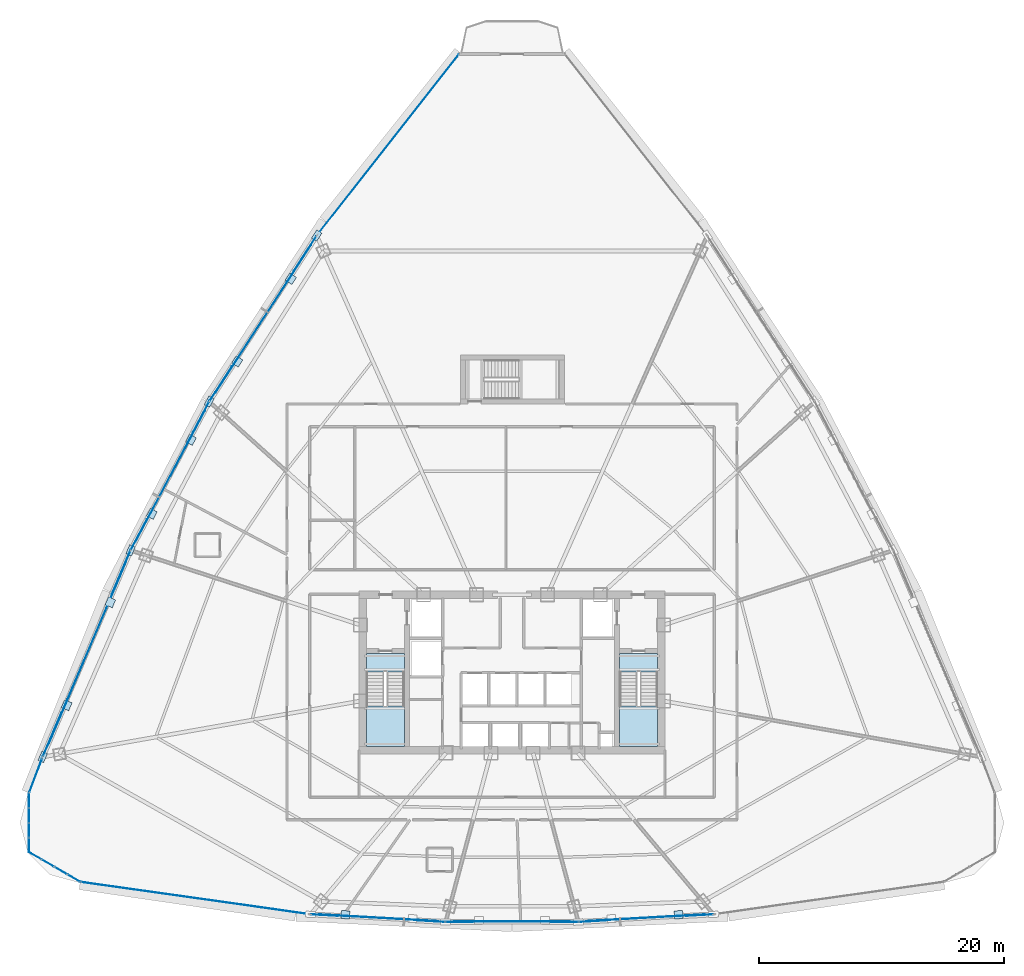
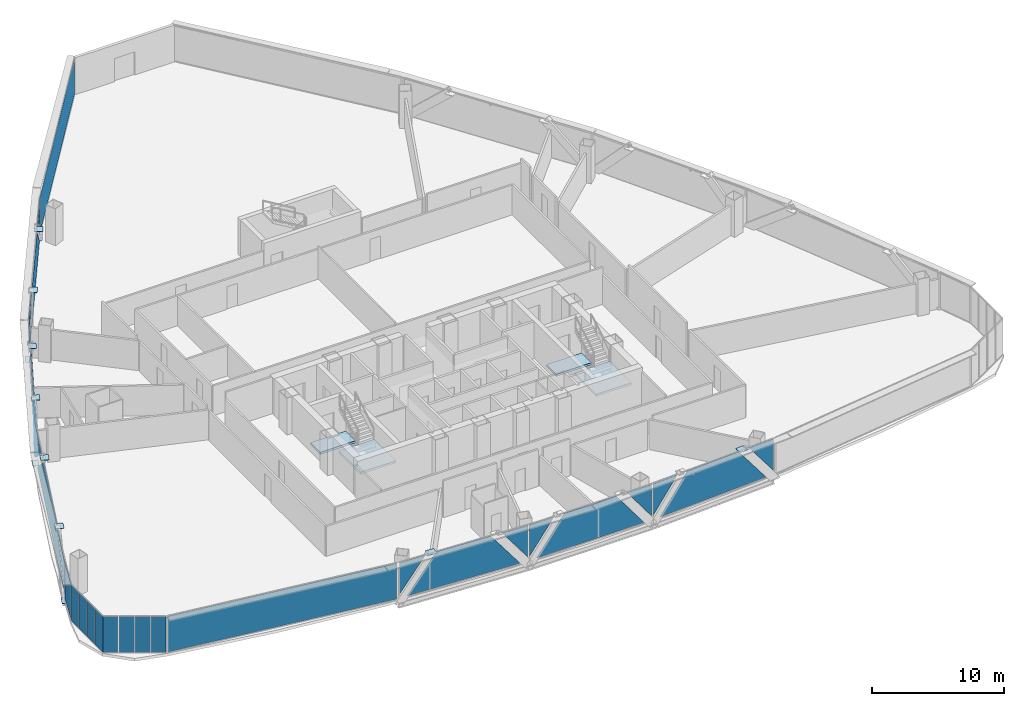
# One storey, part 30 of 40: 41 plates, 4 slabs, 13 elements without a shape of their own.
"""IFC4 building model written with IfcOpenShell, lengths in metres."""

from ifc_helpers import new_model, si_unit, direction, frame, origin, origin_2d, place, context, subcontext, project, spatial, polyline, rectangle, outline, extrude, source, transform, mapped, material, layer, layer_set, type_object, element, aggregate, save


model = new_model("IFC4")

# Units and contexts
model_context = context("Model", 3, precision=1e-05, world=origin(), true_north=direction((0.0, 1.0)))
body_context = subcontext(model_context, "Body", "Model", "MODEL_VIEW")
ifc_project = project(units=[si_unit("LENGTHUNIT", "METRE"), si_unit("AREAUNIT", "SQUARE_METRE"), si_unit("VOLUMEUNIT", "CUBIC_METRE"), si_unit("PLANEANGLEUNIT", "RADIAN"), si_unit("MASSUNIT", "GRAM", prefix="KILO"), si_unit("THERMODYNAMICTEMPERATUREUNIT", "KELVIN"), si_unit("POWERUNIT", "WATT")], contexts=[model_context])

# Site, building, storey
site_placement = place(None, origin())
site = spatial("IfcSite", under=ifc_project, at=site_placement, CompositionType="ELEMENT")
building_placement = place(site_placement, origin())
building = spatial("IfcBuilding", under=site, at=building_placement, Name="Yunzhuo Pagoda Commons", CompositionType="ELEMENT")
storey_placement = place(building_placement, frame((0.0, 0.0, 159.27001953125)))
storey = spatial("IfcBuildingStorey", under=building, at=storey_placement, Name="L40", CompositionType="ELEMENT", Elevation=159.27001953125)

# Curtain wall, plates
ifc_material_1 = material(Name="Anodized aluminium 6063-T6", Category="aluminium")
ifc_layer_1 = layer(ifc_material_1, 0.14990234375)
ifc_layer_set_1 = layer_set([ifc_layer_1], Name="Anodized aluminium 6063-T6")
curtain_wall_type_1 = type_object("IfcCurtainWallType", Name="CW-MID Mid-Zone Ribbon Curtain Wall", PredefinedType="NOTDEFINED", material=ifc_layer_set_1)
curtain_wall_1_placement = place(storey_placement, origin())
curtain_wall_1 = element("IfcCurtainWall", 1, at=curtain_wall_1_placement, inside=storey, type_object=curtain_wall_type_1, Name="L40 curtain wall CW-L40-F1B2", PredefinedType="NOTDEFINED")
ifc_material_2 = material(Name="Tempered low-e double glazing", Category="glass")
ifc_layer_2 = layer(ifc_material_2, 0.028076171875)
ifc_layer_set_2 = layer_set([ifc_layer_2], Name="Tempered low-e double glazing")
plate_type_1 = type_object("IfcPlateType", Name="CW-MID-P Low-E Double Glazing 28", PredefinedType="CURTAIN_PANEL", material=ifc_layer_set_2)
plate_1_placement = place(storey_placement, frame((32.6806640625, 14.017333984375, 1.90869140625), z_axis=(-0.056459249567, -0.998404904404, 0.0), x_axis=(0.998404904404, -0.056459249567, 0.0)))
plate_1 = element("IfcPlate", 2, at=plate_1_placement, type_object=plate_type_1, Name="CW panel 1.1 lite 1", PredefinedType="CURTAIN_PANEL", context=body_context, shape_type="SweptSolid", body=[
    extrude(outline(polyline([(-1.094482421875, -1.456298828125), (1.094482421875, 1.456298828125), (-1.094482421875, 1.456298828125), (-1.094482421875, -1.456298828125)])), origin(), (0.0, 0.0, 1.0), 0.028076171875),
])
plate_2_placement = place(storey_placement, frame((37.05224609375, 13.800048828125, 1.7099609375), z_axis=(-0.056459249567, -0.998404904404, 0.0), x_axis=(0.998404904404, -0.056459249567, 0.0)))
plate_2 = element("IfcPlate", 3, at=plate_2_placement, type_object=plate_type_1, Name="CW panel 1.1 lite 2", PredefinedType="CURTAIN_PANEL", context=body_context, shape_type="SweptSolid", body=[
    extrude(outline(polyline([(-4.8193359375, -1.655029296875), (4.8193359375, -1.655029296875), (2.331787109375, 1.655029296875), (-2.331787109375, 1.655029296875), (-4.8193359375, -1.655029296875)])), origin(), (0.0, 0.0, 1.0), 0.028076171875),
])
plate_3_placement = place(storey_placement, frame((41.42041015625, 13.52294921875, 1.90869140625), z_axis=(-0.056459249567, -0.998404904404, 0.0), x_axis=(0.998404904404, -0.056459249567, 0.0)))
plate_3 = element("IfcPlate", 4, at=plate_3_placement, type_object=plate_type_1, Name="CW panel 1.1 lite 3", PredefinedType="CURTAIN_PANEL", context=body_context, shape_type="SweptSolid", body=[
    extrude(outline(polyline([(-1.094482421875, 1.456298828125), (1.094482421875, -1.456298828125), (1.094482421875, 1.456298828125), (-1.094482421875, 1.456298828125)])), origin(), (0.0, 0.0, 1.0), 0.028076171875),
])
aggregate(curtain_wall_1, [plate_1, plate_2, plate_3])

curtain_wall_2_placement = place(storey_placement, origin())
curtain_wall_2 = element("IfcCurtainWall", 5, at=curtain_wall_2_placement, inside=storey, type_object=curtain_wall_type_1, Name="L40 curtain wall CW-L40-F1B3", PredefinedType="NOTDEFINED")
plate_4_placement = place(storey_placement, frame((43.702880859375, 13.4580078125, 1.913330078125), z_axis=(0.0, -1.0, 0.0), x_axis=(1.0, 0.0, 0.0)))
plate_4 = element("IfcPlate", 6, at=plate_4_placement, type_object=plate_type_1, Name="CW panel 1.1 lite 1", PredefinedType="CURTAIN_PANEL", context=body_context, shape_type="SweptSolid", body=[
    extrude(outline(polyline([(-1.070556640625, -1.45166015625), (1.070556640625, 1.45166015625), (-1.070556640625, 1.45166015625), (-1.070556640625, -1.45166015625)])), origin(), (0.0, 0.0, 1.0), 0.028076171875),
])
plate_5_placement = place(storey_placement, frame((48.0, 13.48779296875, 1.7099609375), z_axis=(0.0, -1.0, 0.0), x_axis=(1.0, 0.0, 0.0)))
plate_5 = element("IfcPlate", 7, at=plate_5_placement, type_object=plate_type_1, Name="CW panel 1.1 lite 2", PredefinedType="CURTAIN_PANEL", context=body_context, shape_type="SweptSolid", body=[
    extrude(outline(polyline([(-4.72314453125, -1.655029296875), (4.72314453125, -1.655029296875), (2.2822265625, 1.655029296875), (-2.2822265625, 1.655029296875), (-4.72314453125, -1.655029296875)])), origin(), (0.0, 0.0, 1.0), 0.028076171875),
])
plate_6_placement = place(storey_placement, frame((52.297119140625, 13.4580078125, 1.913330078125), z_axis=(0.0, -1.0, 0.0), x_axis=(1.0, 0.0, 0.0)))
plate_6 = element("IfcPlate", 8, at=plate_6_placement, type_object=plate_type_1, Name="CW panel 1.1 lite 3", PredefinedType="CURTAIN_PANEL", context=body_context, shape_type="SweptSolid", body=[
    extrude(outline(polyline([(-1.070556640625, 1.45166015625), (1.070556640625, -1.45166015625), (1.070556640625, 1.45166015625), (-1.070556640625, 1.45166015625)])), origin(), (0.0, 0.0, 1.0), 0.028076171875),
])
aggregate(curtain_wall_2, [plate_4, plate_5, plate_6])

curtain_wall_3_placement = place(storey_placement, origin())
curtain_wall_3 = element("IfcCurtainWall", 9, at=curtain_wall_3_placement, inside=storey, type_object=curtain_wall_type_1, Name="L40 curtain wall CW-L40-F1B4", PredefinedType="NOTDEFINED")
plate_7_placement = place(storey_placement, frame((54.57958984375, 13.52294921875, 1.90869140625), z_axis=(0.056459249567, -0.998404904404, 0.0), x_axis=(0.998404904404, 0.056459249567, 0.0)))
plate_7 = element("IfcPlate", 10, at=plate_7_placement, type_object=plate_type_1, Name="CW panel 1.1 lite 1", PredefinedType="CURTAIN_PANEL", context=body_context, shape_type="SweptSolid", body=[
    extrude(outline(polyline([(-1.094482421875, -1.456298828125), (1.094482421875, 1.456298828125), (-1.094482421875, 1.456298828125), (-1.094482421875, -1.456298828125)])), origin(), (0.0, 0.0, 1.0), 0.028076171875),
])
plate_8_placement = place(storey_placement, frame((58.94775390625, 13.800048828125, 1.7099609375), z_axis=(0.056459249567, -0.998404904404, 0.0), x_axis=(0.998404904404, 0.056459249567, 0.0)))
plate_8 = element("IfcPlate", 11, at=plate_8_placement, type_object=plate_type_1, Name="CW panel 1.1 lite 2", PredefinedType="CURTAIN_PANEL", context=body_context, shape_type="SweptSolid", body=[
    extrude(outline(polyline([(-4.8193359375, -1.655029296875), (4.8193359375, -1.655029296875), (2.331787109375, 1.655029296875), (-2.331787109375, 1.655029296875), (-4.8193359375, -1.655029296875)])), origin(), (0.0, 0.0, 1.0), 0.028076171875),
])
plate_9_placement = place(storey_placement, frame((63.3193359375, 14.017333984375, 1.90869140625), z_axis=(0.056459249567, -0.998404904404, 0.0), x_axis=(0.998404904404, 0.056459249567, 0.0)))
plate_9 = element("IfcPlate", 12, at=plate_9_placement, type_object=plate_type_1, Name="CW panel 1.1 lite 3", PredefinedType="CURTAIN_PANEL", context=body_context, shape_type="SweptSolid", body=[
    extrude(outline(polyline([(-1.094482421875, 1.456298828125), (1.094482421875, -1.456298828125), (1.094482421875, 1.456298828125), (-1.094482421875, 1.456298828125)])), origin(), (0.0, 0.0, 1.0), 0.028076171875),
])
aggregate(curtain_wall_3, [plate_7, plate_8, plate_9])

curtain_wall_4_placement = place(storey_placement, origin())
curtain_wall_4 = element("IfcCurtainWall", 13, at=curtain_wall_4_placement, inside=storey, type_object=curtain_wall_type_1, Name="L40 curtain wall CW-L40-F3B2", PredefinedType="NOTDEFINED")
plate_10_placement = place(storey_placement, frame((31.099609375, 68.095458984375, 1.836669921875), z_axis=(-0.839392571637, 0.543525630197, 0.0), x_axis=(-0.543525630197, -0.839392571637, 0.0)))
plate_10 = element("IfcPlate", 14, at=plate_10_placement, type_object=plate_type_1, Name="CW panel 1.1 lite 1", PredefinedType="CURTAIN_PANEL", context=body_context, shape_type="SweptSolid", body=[
    extrude(outline(polyline([(-1.6787109375, -1.5283203125), (1.6787109375, 1.5283203125), (-1.6787109375, 1.5283203125), (-1.6787109375, -1.5283203125)])), origin(), (0.0, 0.0, 1.0), 0.028076171875),
])
plate_11_placement = place(storey_placement, frame((27.675537109375, 62.75244140625, 1.7099609375), z_axis=(-0.839392571637, 0.543525630197, 0.0), x_axis=(-0.543525630197, -0.839392571637, 0.0)))
plate_11 = element("IfcPlate", 15, at=plate_11_placement, type_object=plate_type_1, Name="CW panel 1.1 lite 2", PredefinedType="CURTAIN_PANEL", context=body_context, shape_type="SweptSolid", body=[
    extrude(outline(polyline([(-7.17431640625, -1.655029296875), (7.17431640625, -1.655029296875), (3.538330078125, 1.655029296875), (-3.538330078125, 1.655029296875), (-7.17431640625, -1.655029296875)])), origin(), (0.0, 0.0, 1.0), 0.028076171875),
])
plate_12_placement = place(storey_placement, frame((24.201171875, 57.44189453125, 1.836669921875), z_axis=(-0.839392571637, 0.543525630197, 0.0), x_axis=(-0.543525630197, -0.839392571637, 0.0)))
plate_12 = element("IfcPlate", 16, at=plate_12_placement, type_object=plate_type_1, Name="CW panel 1.1 lite 3", PredefinedType="CURTAIN_PANEL", context=body_context, shape_type="SweptSolid", body=[
    extrude(outline(polyline([(-1.6787109375, 1.5283203125), (1.6787109375, -1.5283203125), (1.6787109375, 1.5283203125), (-1.6787109375, 1.5283203125)])), origin(), (0.0, 0.0, 1.0), 0.028076171875),
])
aggregate(curtain_wall_4, [plate_10, plate_11, plate_12])

curtain_wall_5_placement = place(storey_placement, origin())
curtain_wall_5 = element("IfcCurtainWall", 17, at=curtain_wall_5_placement, inside=storey, type_object=curtain_wall_type_1, Name="L40 curtain wall CW-L40-F3B3", PredefinedType="NOTDEFINED")
plate_13_placement = place(storey_placement, frame((22.572998046875, 54.689697265625, 1.86279296875), z_axis=(-0.884068631112, 0.467357096324, 0.0), x_axis=(-0.467357096324, -0.884068631112, 0.0)))
plate_13 = element("IfcPlate", 18, at=plate_13_placement, type_object=plate_type_1, Name="CW panel 1.1 lite 1", PredefinedType="CURTAIN_PANEL", context=body_context, shape_type="SweptSolid", body=[
    extrude(outline(polyline([(-1.4033203125, -1.501953125), (1.4033203125, 1.501953125), (-1.4033203125, 1.501953125), (-1.4033203125, -1.501953125)])), origin(), (0.0, 0.0, 1.0), 0.028076171875),
])
plate_14_placement = place(storey_placement, frame((20.06982421875, 49.890380859375, 1.7099609375), z_axis=(-0.884068631112, 0.467357096324, 0.0), x_axis=(-0.467357096324, -0.884068631112, 0.0)))
plate_14 = element("IfcPlate", 19, at=plate_14_placement, type_object=plate_type_1, Name="CW panel 1.1 lite 2", PredefinedType="CURTAIN_PANEL", context=body_context, shape_type="SweptSolid", body=[
    extrude(outline(polyline([(-6.06201171875, -1.655029296875), (6.06201171875, -1.655029296875), (2.969482421875, 1.655029296875), (-2.969482421875, 1.655029296875), (-6.06201171875, -1.655029296875)])), origin(), (0.0, 0.0, 1.0), 0.028076171875),
])
plate_15_placement = place(storey_placement, frame((17.513671875, 45.118896484375, 1.86279296875), z_axis=(-0.884068631112, 0.467357096324, 0.0), x_axis=(-0.467357096324, -0.884068631112, 0.0)))
plate_15 = element("IfcPlate", 20, at=plate_15_placement, type_object=plate_type_1, Name="CW panel 1.1 lite 3", PredefinedType="CURTAIN_PANEL", context=body_context, shape_type="SweptSolid", body=[
    extrude(outline(polyline([(-1.4033203125, 1.501953125), (1.4033203125, -1.501953125), (1.4033203125, 1.501953125), (-1.4033203125, 1.501953125)])), origin(), (0.0, 0.0, 1.0), 0.028076171875),
])
aggregate(curtain_wall_5, [plate_13, plate_14, plate_15])

curtain_wall_6_placement = place(storey_placement, origin())
curtain_wall_6 = element("IfcCurtainWall", 21, at=curtain_wall_6_placement, inside=storey, type_object=curtain_wall_type_1, Name="L40 curtain wall CW-L40-F3B4", PredefinedType="NOTDEFINED")
plate_16_placement = place(storey_placement, frame((16.05224609375, 41.99755859375, 1.820068359375), z_axis=(-0.92021678471, 0.391409081572, 0.0), x_axis=(-0.391409081572, -0.92021678471, 0.0)))
plate_16 = element("IfcPlate", 22, at=plate_16_placement, type_object=plate_type_1, Name="CW panel 1.1 lite 1", PredefinedType="CURTAIN_PANEL", context=body_context, shape_type="SweptSolid", body=[
    extrude(outline(polyline([(-1.92724609375, -1.544921875), (1.92724609375, 1.544921875), (-1.92724609375, 1.544921875), (-1.92724609375, -1.544921875)])), origin(), (0.0, 0.0, 1.0), 0.028076171875),
])
plate_17_placement = place(storey_placement, frame((13.26416015625, 35.36572265625, 1.7099609375), z_axis=(-0.92021678471, 0.391409081572, 0.0), x_axis=(-0.391409081572, -0.92021678471, 0.0)))
plate_17 = element("IfcPlate", 23, at=plate_17_placement, type_object=plate_type_1, Name="CW panel 1.1 lite 2", PredefinedType="CURTAIN_PANEL", context=body_context, shape_type="SweptSolid", body=[
    extrude(outline(polyline([(-8.180908203125, -1.655029296875), (8.180908203125, -1.655029296875), (4.0517578125, 1.655029296875), (-4.0517578125, 1.655029296875), (-8.180908203125, -1.655029296875)])), origin(), (0.0, 0.0, 1.0), 0.028076171875),
])
plate_18_placement = place(storey_placement, frame((10.420654296875, 28.75732421875, 1.820068359375), z_axis=(-0.92021678471, 0.391409081572, 0.0), x_axis=(-0.391409081572, -0.92021678471, 0.0)))
plate_18 = element("IfcPlate", 24, at=plate_18_placement, type_object=plate_type_1, Name="CW panel 1.1 lite 3", PredefinedType="CURTAIN_PANEL", context=body_context, shape_type="SweptSolid", body=[
    extrude(outline(polyline([(-1.92724609375, 1.544921875), (1.92724609375, -1.544921875), (1.92724609375, 1.544921875), (-1.92724609375, 1.544921875)])), origin(), (0.0, 0.0, 1.0), 0.028076171875),
])
aggregate(curtain_wall_6, [plate_16, plate_17, plate_18])

# Stair, slabs
ifc_material_3 = material(Name="Concrete C40", Category="concrete")
stair_type_1 = type_object("IfcStairType", Name="ST-C1 Core Smokeproof Stair ST1", PredefinedType="HALF_TURN_STAIR", material=ifc_material_3)
stair_1_placement = place(storey_placement, origin())
stair_1 = element("IfcStair", 25, at=stair_1_placement, inside=storey, type_object=stair_type_1, Name="L40 Core smokeproof stair ST1", PredefinedType="HALF_TURN_STAIR")
ifc_layer_3 = layer(ifc_material_3, 0.199951171875)
ifc_layer_set_3 = layer_set([ifc_layer_3], Name="Concrete C40")
slab_type_1 = type_object("IfcSlabType", Name="SL-LND1 Stair Landing Slab 200", PredefinedType="LANDING", material=ifc_layer_set_3)
slab_1_placement = place(storey_placement, frame((0.0, 0.0, 1.639892578125)))
slab_1 = element("IfcSlab", 26, at=slab_1_placement, type_object=slab_type_1, Name="ST1 landing 1", PredefinedType="LANDING", context=body_context, shape_type="SweptSolid", body=[
    extrude(outline(polyline([(36.10009765625, 31.10009765625), (36.10009765625, 27.800048828125), (39.199951171875, 27.800048828125), (39.199951171875, 31.10009765625), (36.10009765625, 31.10009765625)])), origin(), (0.0, 0.0, 1.0), 0.2001953125),
])
slab_2_placement = place(storey_placement, frame((0.0, 0.0, -0.199951171875)))
slab_2 = element("IfcSlab", 27, at=slab_2_placement, type_object=slab_type_1, Name="ST1 floor landing L40", PredefinedType="LANDING", context=body_context, shape_type="SweptSolid", body=[
    extrude(outline(polyline([(36.10009765625, 35.39990234375), (36.10009765625, 33.89990234375), (39.199951171875, 33.89990234375), (39.199951171875, 35.39990234375), (36.10009765625, 35.39990234375)])), origin(), (0.0, 0.0, 1.0), 0.199951171875),
])
aggregate(stair_1, [slab_1, slab_2])

stair_type_2 = type_object("IfcStairType", Name="ST-C2 Core Smokeproof Stair ST2", PredefinedType="HALF_TURN_STAIR", material=ifc_material_3)
stair_2_placement = place(storey_placement, origin())
stair_2 = element("IfcStair", 28, at=stair_2_placement, inside=storey, type_object=stair_type_2, Name="L40 Core smokeproof stair ST2", PredefinedType="HALF_TURN_STAIR")
ifc_layer_4 = layer(ifc_material_3, 0.201904296875)
ifc_layer_set_4 = layer_set([ifc_layer_4], Name="Concrete C40")
slab_type_2 = type_object("IfcSlabType", Name="SL-LND2 Stair Landing Slab 202", PredefinedType="LANDING", material=ifc_layer_set_4)
slab_3_placement = place(storey_placement, frame((0.0, 0.0, 1.639892578125)))
slab_3 = element("IfcSlab", 29, at=slab_3_placement, type_object=slab_type_2, Name="ST2 landing 1", PredefinedType="LANDING", context=body_context, shape_type="SweptSolid", body=[
    extrude(outline(polyline([(56.800048828125, 31.10009765625), (56.800048828125, 27.800048828125), (59.89990234375, 27.800048828125), (59.89990234375, 31.10009765625), (56.800048828125, 31.10009765625)])), origin(), (0.0, 0.0, 1.0), 0.2001953125),
])
slab_4_placement = place(storey_placement, frame((0.0, 0.0, -0.199951171875)))
slab_4 = element("IfcSlab", 30, at=slab_4_placement, type_object=slab_type_2, Name="ST2 floor landing L40", PredefinedType="LANDING", context=body_context, shape_type="SweptSolid", body=[
    extrude(outline(polyline([(56.800048828125, 35.39990234375), (56.800048828125, 33.89990234375), (59.89990234375, 33.89990234375), (59.89990234375, 35.39990234375), (56.800048828125, 35.39990234375)])), origin(), (0.0, 0.0, 1.0), 0.199951171875),
])
aggregate(stair_2, [slab_3, slab_4])

# Plates
ifc_material_4 = material(Name="Structural steel Q355B", Category="steel")
ifc_layer_5 = layer(ifc_material_4, 0.028076171875)
ifc_layer_set_5 = layer_set([ifc_layer_5], Name="Structural steel Q355B")
plate_type_2 = type_object("IfcPlateType", Name="SP-ND1 Lattice Node Cap Plate 800x500x28", PredefinedType="USERDEFINED", material=ifc_layer_set_5)
shared_shape_1 = source(origin(), body_context, "Body", "SweptSolid", [
    extrude(rectangle(XDim=0.800048828125, YDim=0.5, at=origin_2d()), origin(), (0.0, 0.0, 1.0), 0.028076171875),
])
for number, where, z_axis, x_axis, name in (
    (31, (32.032958984375, 69.5625, -0.27392578125), (0.0, 0.0, 1.0), (-0.543526101434, -0.8393922665, 0.0), "L40 diamond node plate F3.1A"),
    (32, (23.244384765625, 55.989990234375, -0.27392578125), (0.0, 0.0, 1.0), (-0.46735900579, -0.884067621682, 0.0), "L40 diamond node plate F3.2A"),
    (33, (16.817138671875, 43.831787109375, -0.27392578125), (0.0, 0.0, 1.0), (-0.39140578875, -0.920218185287, 0.0), "L40 diamond node plate F3.3A"),
    (34, (9.6298828125, 26.934326171875, -0.27392578125), (0.0, 0.0, 1.0), (-0.39140578875, -0.920218185287, 0.0), "L40 diamond node plate F3.3B"),
):
    element("IfcPlate", number, at=place(storey_placement, frame(where, z_axis=z_axis, x_axis=x_axis)), inside=storey, type_object=plate_type_2, Name=name, ObjectType="STIFFENER_PLATE", PredefinedType="USERDEFINED", context=body_context, shape_type="MappedRepresentation", body=[
        mapped(shared_shape_1, transform((0.0, 0.0, 0.0), scale=1.0)),
    ])
shared_shape_2 = source(origin(), body_context, "Body", "SweptSolid", [
    extrude(rectangle(XDim=0.699951171875, YDim=0.661376953125, at=origin_2d()), origin(), (0.0, 0.0, 1.0), 0.035888671875),
])
for number, where, z_axis, x_axis, name in (
    (35, (34.377197265625, 14.040283203125, 3.3818359375), (0.0, 0.0, 1.0), (0.998404508044, -0.056466258222, 0.0), "L40 setback lattice tie plate F1.1L"),
    (36, (61.622802734375, 14.040283203125, 3.3818359375), (0.0, 0.0, 1.0), (0.998404508044, 0.056466258222, 0.0), "L40 setback lattice tie plate F1.3R"),
):
    element("IfcPlate", number, at=place(storey_placement, frame(where, z_axis=z_axis, x_axis=x_axis)), inside=storey, type_object=plate_type_2, Name=name, ObjectType="STIFFENER_PLATE", PredefinedType="USERDEFINED", context=body_context, shape_type="MappedRepresentation", body=[
        mapped(shared_shape_2, transform((0.0, 0.0, 0.0), scale=1.0)),
    ])
shared_shape_3 = source(origin(), body_context, "Body", "SweptSolid", [
    extrude(rectangle(XDim=0.699951171875, YDim=0.672119140625, at=origin_2d()), origin(), (0.0, 0.0, 1.0), 0.035888671875),
])
plate_19_placement = place(storey_placement, frame((11.58740234375, 31.170166015625, 3.3818359375), z_axis=(0.0, 0.0, 1.0), x_axis=(-0.39140578875, -0.920218185287, 0.0)))
element("IfcPlate", 37, at=plate_19_placement, inside=storey, type_object=plate_type_2, Name="L40 setback lattice tie plate F3.3R", ObjectType="STIFFENER_PLATE", PredefinedType="USERDEFINED", context=body_context, shape_type="MappedRepresentation", body=[
    mapped(shared_shape_3, transform((0.0, 0.0, 0.0), scale=1.0)),
])
shared_shape_4 = source(origin(), body_context, "Body", "SweptSolid", [
    extrude(rectangle(XDim=0.699951171875, YDim=0.627685546875, at=origin_2d()), origin(), (0.0, 0.0, 1.0), 0.035888671875),
])
plate_20_placement = place(storey_placement, frame((18.551025390625, 46.815185546875, 3.3818359375), z_axis=(0.0, 0.0, 1.0), x_axis=(-0.46735900579, -0.884067621682, 0.0)))
element("IfcPlate", 38, at=plate_20_placement, inside=storey, type_object=plate_type_2, Name="L40 setback lattice tie plate F3.2R", ObjectType="STIFFENER_PLATE", PredefinedType="USERDEFINED", context=body_context, shape_type="MappedRepresentation", body=[
    mapped(shared_shape_4, transform((0.0, 0.0, 0.0), scale=1.0)),
])
shared_shape_5 = source(origin(), body_context, "Body", "SweptSolid", [
    extrude(rectangle(XDim=0.699951171875, YDim=0.627197265625, at=origin_2d()), origin(), (0.0, 0.0, 1.0), 0.035888671875),
])
plate_21_placement = place(storey_placement, frame((21.749755859375, 52.868896484375, 3.3818359375), z_axis=(0.0, 0.0, 1.0), x_axis=(-0.46735900579, -0.884067621682, 0.0)))
element("IfcPlate", 39, at=plate_21_placement, inside=storey, type_object=plate_type_2, Name="L40 setback lattice tie plate F3.2L", ObjectType="STIFFENER_PLATE", PredefinedType="USERDEFINED", context=body_context, shape_type="MappedRepresentation", body=[
    mapped(shared_shape_5, transform((0.0, 0.0, 0.0), scale=1.0)),
])
shared_shape_6 = source(origin(), body_context, "Body", "SweptSolid", [
    extrude(rectangle(XDim=0.699951171875, YDim=0.63818359375, at=origin_2d()), origin(), (0.0, 0.0, 1.0), 0.035888671875),
])
plate_22_placement = place(storey_placement, frame((25.536865234375, 59.27490234375, 3.3818359375), z_axis=(0.0, 0.0, 1.0), x_axis=(-0.543526101434, -0.8393922665, 0.0)))
element("IfcPlate", 40, at=plate_22_placement, inside=storey, type_object=plate_type_2, Name="L40 setback lattice tie plate F3.1R", ObjectType="STIFFENER_PLATE", PredefinedType="USERDEFINED", context=body_context, shape_type="MappedRepresentation", body=[
    mapped(shared_shape_6, transform((0.0, 0.0, 0.0), scale=1.0)),
])
shared_shape_7 = source(origin(), body_context, "Body", "SweptSolid", [
    extrude(rectangle(XDim=0.699951171875, YDim=0.662353515625, at=origin_2d()), origin(), (0.0, 0.0, 1.0), 0.035888671875),
])
plate_23_placement = place(storey_placement, frame((29.912109375, 66.033203125, 3.3818359375), z_axis=(0.0, 0.0, 1.0), x_axis=(-0.543526101434, -0.8393922665, 0.0)))
element("IfcPlate", 41, at=plate_23_placement, inside=storey, type_object=plate_type_2, Name="L40 setback lattice tie plate F3.1L", ObjectType="STIFFENER_PLATE", PredefinedType="USERDEFINED", context=body_context, shape_type="MappedRepresentation", body=[
    mapped(shared_shape_7, transform((0.0, 0.0, 0.0), scale=1.0)),
])
shared_shape_8 = source(origin(), body_context, "Body", "SweptSolid", [
    extrude(rectangle(XDim=0.699951171875, YDim=0.640869140625, at=origin_2d()), origin(), (0.0, 0.0, 1.0), 0.035888671875),
])
plate_24_placement = place(storey_placement, frame((15.16357421875, 39.582275390625, 3.3818359375), z_axis=(0.0, 0.0, 1.0), x_axis=(-0.39140578875, -0.920218185287, 0.0)))
element("IfcPlate", 42, at=plate_24_placement, inside=storey, type_object=plate_type_2, Name="L40 setback lattice tie plate F3.3L", ObjectType="STIFFENER_PLATE", PredefinedType="USERDEFINED", context=body_context, shape_type="MappedRepresentation", body=[
    mapped(shared_shape_8, transform((0.0, 0.0, 0.0), scale=1.0)),
])

# Curtain wall, plate
curtain_wall_7_placement = place(storey_placement, origin())
curtain_wall_7 = element("IfcCurtainWall", 43, at=curtain_wall_7_placement, inside=storey, type_object=curtain_wall_type_1, Name="L40 curtain wall CW-L40-F1B1", PredefinedType="NOTDEFINED")
shared_shape_9 = source(origin(), body_context, "Body", "SweptSolid", [
    extrude(rectangle(XDim=18.81640625, YDim=0.028076171875, at=origin_2d()), origin(), (0.0, 0.0, 1.0), 3.31005859375),
])
plate_25_placement = place(storey_placement, frame((22.077392578125, 15.401123046875, 0.054931640625), z_axis=(0.0, 0.0, 1.0), x_axis=(0.990203780714, -0.13962976996, 0.0)))
plate_25 = element("IfcPlate", 44, at=plate_25_placement, type_object=plate_type_1, Name="CW panel 1.1", PredefinedType="CURTAIN_PANEL", context=body_context, shape_type="MappedRepresentation", body=[
    mapped(shared_shape_9, transform((0.0, 0.0, 0.0), scale=1.0)),
])
aggregate(curtain_wall_7, [plate_25])

curtain_wall_8_placement = place(storey_placement, origin())
curtain_wall_8 = element("IfcCurtainWall", 45, at=curtain_wall_8_placement, inside=storey, type_object=curtain_wall_type_1, Name="L40 curtain wall CW-L40-F3B5", PredefinedType="NOTDEFINED")
shared_shape_10 = source(origin(), body_context, "Body", "SweptSolid", [
    extrude(rectangle(XDim=2.937255859375, YDim=0.028076171875, at=origin_2d()), origin(), (0.0, 0.0, 1.0), 3.31005859375),
])
plate_26_placement = place(storey_placement, frame((9.062255859375, 25.4345703125, 0.054931640625), z_axis=(0.0, 0.0, 1.0), x_axis=(-0.35399648846, -0.935246751482, 0.0)))
plate_26 = element("IfcPlate", 46, at=plate_26_placement, type_object=plate_type_1, Name="CW panel 1.1", PredefinedType="CURTAIN_PANEL", context=body_context, shape_type="MappedRepresentation", body=[
    mapped(shared_shape_10, transform((0.0, 0.0, 0.0), scale=1.0)),
])
aggregate(curtain_wall_8, [plate_26])

curtain_wall_9_placement = place(storey_placement, origin())
curtain_wall_9 = element("IfcCurtainWall", 47, at=curtain_wall_9_placement, inside=storey, type_object=curtain_wall_type_1, Name="L40 curtain wall CW-L40-F3B1", PredefinedType="NOTDEFINED")
shared_shape_11 = source(origin(), body_context, "Body", "SweptSolid", [
    extrude(rectangle(XDim=18.6806640625, YDim=0.028076171875, at=origin_2d()), origin(), (0.0, 0.0, 1.0), 3.31005859375),
])
plate_27_placement = place(storey_placement, frame((37.8818359375, 77.017333984375, 0.054931640625), z_axis=(0.0, 0.0, 1.0), x_axis=(-0.61725996734, -0.786759259697, 0.0)))
plate_27 = element("IfcPlate", 48, at=plate_27_placement, type_object=plate_type_1, Name="CW panel 1.1", PredefinedType="CURTAIN_PANEL", context=body_context, shape_type="MappedRepresentation", body=[
    mapped(shared_shape_11, transform((0.0, 0.0, 0.0), scale=1.0)),
])
aggregate(curtain_wall_9, [plate_27])

# Curtain wall, plates
ifc_layer_6 = layer(ifc_material_1, 0.1298828125)
ifc_layer_set_6 = layer_set([ifc_layer_6], Name="Anodized aluminium 6063-T6")
curtain_wall_type_2 = type_object("IfcCurtainWallType", Name="CW-VTX Rounded Corner Curtain Wall", PredefinedType="NOTDEFINED", material=ifc_layer_set_6)
curtain_wall_10_placement = place(storey_placement, origin())
curtain_wall_10 = element("IfcCurtainWall", 49, at=curtain_wall_10_placement, inside=storey, type_object=curtain_wall_type_2, Name="L40 curtain wall CW-L40-VTX1S1", PredefinedType="NOTDEFINED")
ifc_layer_7 = layer(ifc_material_2, 0.02587890625)
ifc_layer_set_7 = layer_set([ifc_layer_7], Name="Tempered low-e double glazing")
plate_type_3 = type_object("IfcPlateType", Name="CW-VTX-P Low-E Double Glazing 26", PredefinedType="CURTAIN_PANEL", material=ifc_layer_set_7)
shared_shape_12 = source(origin(), body_context, "Body", "SweptSolid", [
    extrude(rectangle(XDim=1.141845703125, YDim=0.028076171875, at=origin_2d()), origin(), (0.0, 0.0, 1.0), 3.31005859375),
])
plate_28_placement = place(storey_placement, frame((8.518798828125, 23.37890625, 0.054931640625), z_axis=(0.0, 0.0, 1.0), x_axis=(-0.00359372042, -0.999993542566, 0.0)))
plate_28 = element("IfcPlate", 50, at=plate_28_placement, type_object=plate_type_3, Name="CW panel 1.1", PredefinedType="CURTAIN_PANEL", context=body_context, shape_type="MappedRepresentation", body=[
    mapped(shared_shape_12, transform((0.0, 0.0, 0.0), scale=1.0)),
])
plate_29_placement = place(storey_placement, frame((8.505615234375, 19.7333984375, 0.054931640625), z_axis=(0.0, 0.0, 1.0), x_axis=(-0.00359372042, -0.999993542566, 0.0)))
plate_29 = element("IfcPlate", 51, at=plate_29_placement, type_object=plate_type_3, Name="CW panel 4.1", PredefinedType="CURTAIN_PANEL", context=body_context, shape_type="MappedRepresentation", body=[
    mapped(shared_shape_12, transform((0.0, 0.0, 0.0), scale=1.0)),
])

curtain_wall_11_placement = place(storey_placement, origin())
curtain_wall_11 = element("IfcCurtainWall", 52, at=curtain_wall_11_placement, inside=storey, type_object=curtain_wall_type_2, Name="L40 curtain wall CW-L40-VTX1S2", PredefinedType="NOTDEFINED")
plate_30_placement = place(storey_placement, frame((9.005126953125, 18.86328125, 0.054931640625), z_axis=(0.0, 0.0, 1.0), x_axis=(0.865427217457, -0.501034660762, 0.0)))
plate_30 = element("IfcPlate", 53, at=plate_30_placement, type_object=plate_type_3, Name="CW panel 1.1", PredefinedType="CURTAIN_PANEL", context=body_context, shape_type="MappedRepresentation", body=[
    mapped(shared_shape_12, transform((0.0, 0.0, 0.0), scale=1.0)),
])
plate_31_placement = place(storey_placement, frame((12.16015625, 17.03662109375, 0.054931640625), z_axis=(0.0, 0.0, 1.0), x_axis=(0.865427217457, -0.501034660762, 0.0)))
plate_31 = element("IfcPlate", 54, at=plate_31_placement, type_object=plate_type_3, Name="CW panel 4.1", PredefinedType="CURTAIN_PANEL", context=body_context, shape_type="MappedRepresentation", body=[
    mapped(shared_shape_12, transform((0.0, 0.0, 0.0), scale=1.0)),
])

# Plate
shared_shape_13 = source(origin(), body_context, "Body", "SweptSolid", [
    extrude(rectangle(XDim=1.16943359375, YDim=0.028076171875, at=origin_2d()), origin(), (0.0, 0.0, 1.0), 3.31005859375),
])
plate_32_placement = place(storey_placement, frame((8.514404296875, 22.168212890625, 0.054931640625), z_axis=(0.0, 0.0, 1.0), x_axis=(-0.00359372042, -0.999993542566, 0.0)))
plate_32 = element("IfcPlate", 55, at=plate_32_placement, type_object=plate_type_3, Name="CW panel 2.1", PredefinedType="CURTAIN_PANEL", context=body_context, shape_type="MappedRepresentation", body=[
    mapped(shared_shape_13, transform((0.0, 0.0, 0.0), scale=1.0)),
])

plate_33_placement = place(storey_placement, frame((8.510009765625, 20.94384765625, 0.054931640625), z_axis=(0.0, 0.0, 1.0), x_axis=(-0.00359372042, -0.999993542566, 0.0)))
plate_33 = element("IfcPlate", 56, at=plate_33_placement, type_object=plate_type_3, Name="CW panel 3.1", PredefinedType="CURTAIN_PANEL", context=body_context, shape_type="MappedRepresentation", body=[
    mapped(shared_shape_13, transform((0.0, 0.0, 0.0), scale=1.0)),
])

aggregate(curtain_wall_10, [plate_28, plate_32, plate_33, plate_29])

plate_34_placement = place(storey_placement, frame((10.052978515625, 18.2568359375, 0.054931640625), z_axis=(0.0, 0.0, 1.0), x_axis=(0.865427217457, -0.501034660762, 0.0)))
plate_34 = element("IfcPlate", 57, at=plate_34_placement, type_object=plate_type_3, Name="CW panel 2.1", PredefinedType="CURTAIN_PANEL", context=body_context, shape_type="MappedRepresentation", body=[
    mapped(shared_shape_13, transform((0.0, 0.0, 0.0), scale=1.0)),
])

plate_35_placement = place(storey_placement, frame((11.112548828125, 17.643310546875, 0.054931640625), z_axis=(0.0, 0.0, 1.0), x_axis=(0.865427217457, -0.501034660762, 0.0)))
plate_35 = element("IfcPlate", 58, at=plate_35_placement, type_object=plate_type_3, Name="CW panel 3.1", PredefinedType="CURTAIN_PANEL", context=body_context, shape_type="MappedRepresentation", body=[
    mapped(shared_shape_13, transform((0.0, 0.0, 0.0), scale=1.0)),
])

aggregate(curtain_wall_11, [plate_30, plate_34, plate_35, plate_31])

save(model, "model.ifc")
